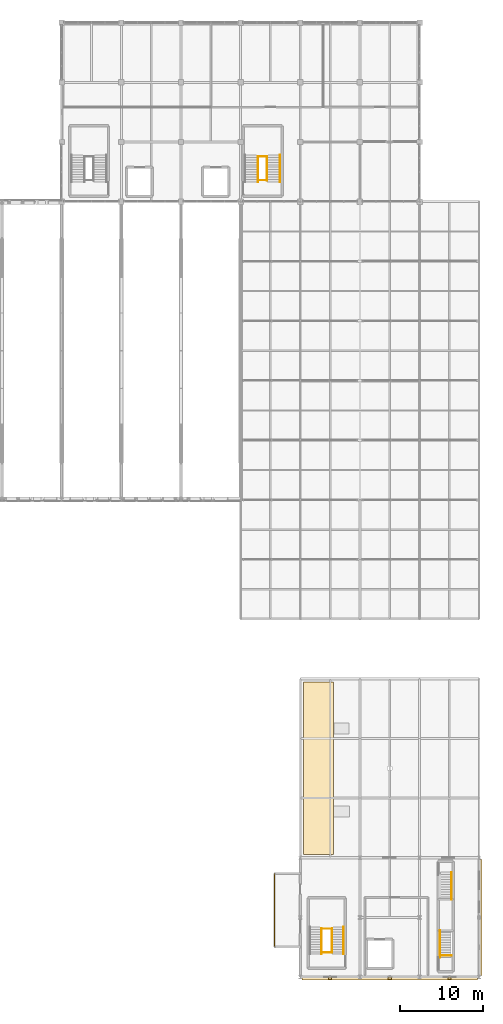
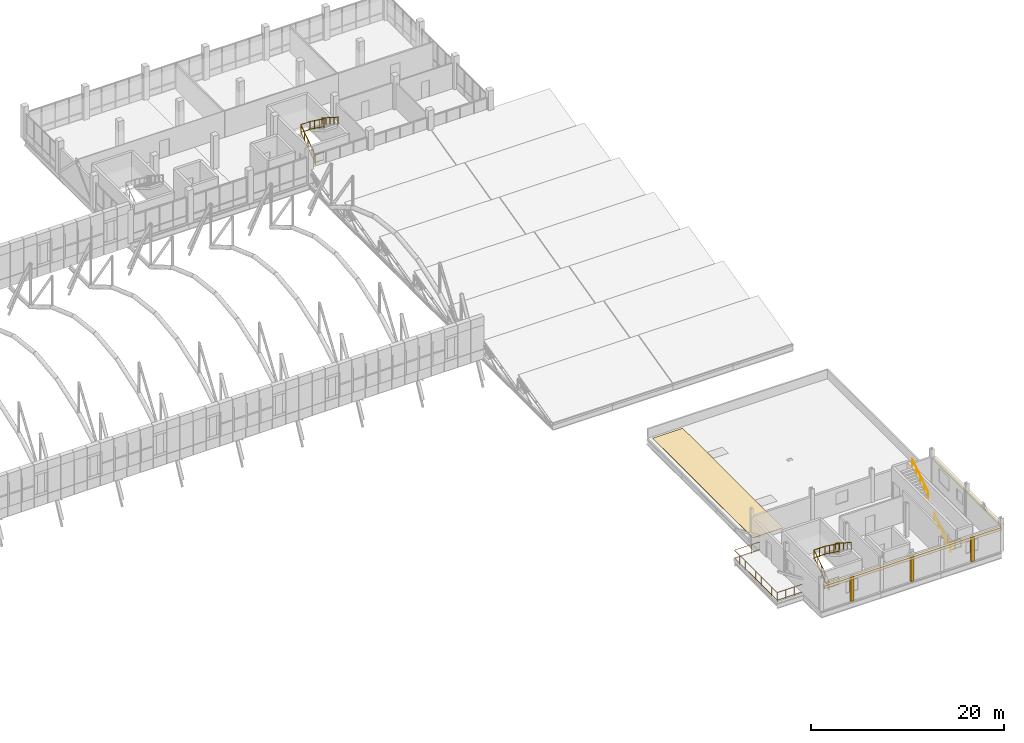
# One storey, part 143 of 144: 14 railings, 6 coverings.
"""IFC4 building model written with IfcOpenShell, lengths in metres."""

from ifc_helpers import new_model, si_unit, direction, frame, origin, origin_2d, place, context, subcontext, project, spatial, polyline, rectangle, circle, outline, extrude, material, layer, layer_set, type_object, element, save


model = new_model("IFC4")

# Units and contexts
model_context = context("Model", 3, precision=1e-05, world=origin(), true_north=direction((0.0, 1.0)))
body_context = subcontext(model_context, "Body", "Model", "MODEL_VIEW")
ifc_project = project(units=[si_unit("LENGTHUNIT", "METRE"), si_unit("AREAUNIT", "SQUARE_METRE"), si_unit("VOLUMEUNIT", "CUBIC_METRE"), si_unit("PLANEANGLEUNIT", "RADIAN"), si_unit("MASSUNIT", "GRAM", prefix="KILO")], contexts=[model_context])

# Site, building, storey
site_placement = place(None, origin())
site = spatial("IfcSite", under=ifc_project, at=site_placement, CompositionType="ELEMENT")
building_placement = place(site_placement, origin())
building = spatial("IfcBuilding", under=site, at=building_placement, Name="Yarey Park Central Fire Station", CompositionType="ELEMENT")
storey_placement = place(building_placement, frame((0.0, 0.0, 10.199951171875)))
storey = spatial("IfcBuildingStorey", under=building, at=storey_placement, Name="L03", CompositionType="ELEMENT", Elevation=10.199951171875)

# Coverings
ifc_material_1 = material(Name="Honed Coral-Limestone Cladding", Category="masonry")
ifc_layer_1 = layer(ifc_material_1, 0.044921875)
ifc_layer_set_1 = layer_set([ifc_layer_1], Name="Honed Coral-Limestone Cladding")
covering_type_1 = type_object("IfcCoveringType", Name="ENV_COV_CLAD_1", PredefinedType="CLADDING", material=ifc_layer_set_1)
covering_1_placement = place(storey_placement, frame((165.780029296875, 7.199951171875, 2.85009765625), z_axis=(0.0, 0.0, 1.0), x_axis=(0.0, 1.0, 0.0)))
element("IfcCovering", 1, at=covering_1_placement, inside=storey, type_object=covering_type_1, Name="FIN_L03_DTE_HOOD", PredefinedType="CLADDING", context=body_context, shape_type="SweptSolid", body=[
    extrude(rectangle(XDim=14.0, YDim=0.360107421875, at=origin_2d()), origin(), (0.0, 0.0, 1.0), 0.340087890625),
])
covering_2_placement = place(storey_placement, frame((154.800048828125, -0.179931640625, 2.85009765625), z_axis=(0.0, 0.0, 1.0), x_axis=(1.0, 0.0, 0.0)))
element("IfcCovering", 2, at=covering_2_placement, inside=storey, type_object=covering_type_1, Name="FIN_L03_DTS_HOOD", PredefinedType="CLADDING", context=body_context, shape_type="SweptSolid", body=[
    extrude(rectangle(XDim=21.199951171875, YDim=0.360107421875, at=origin_2d()), origin(), (0.0, 0.0, 1.0), 0.340087890625),
])
ifc_layer_2 = layer(ifc_material_1, 0.06005859375)
ifc_layer_set_2 = layer_set([ifc_layer_2], Name="Honed Coral-Limestone Cladding")
covering_type_2 = type_object("IfcCoveringType", Name="ENV_COV_CLAD_2", PredefinedType="CLADDING", material=ifc_layer_set_2)
for number, where, z_axis, x_axis, name in (
    (3, (147.60009765625, -0.159912109375, 0.050048828125), (0.0, 0.0, 1.0), (1.0, 0.0, 0.0), "FIN_L03_DTS_PIL_1"),
    (4, (154.800048828125, -0.159912109375, 0.050048828125), (0.0, 0.0, 1.0), (1.0, 0.0, 0.0), "FIN_L03_DTS_PIL_2"),
    (5, (162.0, -0.159912109375, 0.050048828125), (0.0, 0.0, 1.0), (1.0, 0.0, 0.0), "FIN_L03_DTS_PIL_3"),
):
    element("IfcCovering", number, at=place(storey_placement, frame(where, z_axis=z_axis, x_axis=x_axis)), inside=storey, type_object=covering_type_2, Name=name, PredefinedType="CLADDING", context=body_context, shape_type="SweptSolid", body=[
        extrude(rectangle(XDim=0.3798828125, YDim=0.280029296875, at=origin_2d()), origin(), (0.0, 0.0, 1.0), 3.10009765625),
    ])
ifc_material_2 = material(Name="High-Albedo TPO Roofing Membrane", Category="membrane")
ifc_layer_3 = layer(ifc_material_2, 0.050048828125)
ifc_layer_set_3 = layer_set([ifc_layer_3], Name="High-Albedo TPO Roofing Membrane")
covering_type_3 = type_object("IfcCoveringType", Name="ENV_COV_ROOF_2", PredefinedType="ROOFING", material=ifc_layer_set_3)
covering_3_placement = place(storey_placement, origin())
element("IfcCovering", 6, at=covering_3_placement, inside=storey, type_object=covering_type_3, Name="ROOFING_L03_SMK", PredefinedType="ROOFING", context=body_context, shape_type="SweptSolid", body=[
    extrude(outline(polyline([(144.39990234375, 14.800048828125), (148.0, 14.800048828125), (148.0, 35.60009765625), (144.39990234375, 35.60009765625), (144.39990234375, 14.800048828125)])), origin(), (0.0, 0.0, 1.0), 0.050048828125),
])

# Railings
ifc_material_3 = material(Name="Stainless Steel AISI 316L", Category="steel")
railing_type_1 = type_object("IfcRailingType", Name="EXT_RAIL_GUARD112", PredefinedType="BALUSTRADE", material=ifc_material_3)
railing_1_placement = place(storey_placement, frame((143.919921875, 3.679931640625, 0.0)))
element("IfcRailing", 7, at=railing_1_placement, inside=storey, type_object=railing_type_1, Name="GRD_EXT_L03_DT_BALC", PredefinedType="BALUSTRADE", context=body_context, shape_type="SweptSolid", body=[
    extrude(circle(Radius=0.02392578125, at=origin_2d()), frame((0.0, 0.0, 1.09619140625), z_axis=(-1.0, 0.0, 0.0), x_axis=(0.0, -1.0, 0.0)), (0.0, 0.0, 1.0), 3.0400390625),
    extrude(circle(Radius=0.02392578125, at=origin_2d()), frame((0.0, 0.0, 0.1201171875), z_axis=(-1.0, 0.0, 0.0), x_axis=(0.0, -1.0, 0.0)), (0.0, 0.0, 1.0), 3.0400390625),
    extrude(circle(Radius=0.02392578125, at=origin_2d()), frame((-3.0400390625, 0.0, 1.09619140625), z_axis=(0.0, 1.0, 0.0), x_axis=(-1.0, 0.0, 0.0)), (0.0, 0.0, 1.0), 8.840087890625),
    extrude(circle(Radius=0.02392578125, at=origin_2d()), frame((-3.0400390625, 0.0, 0.1201171875), z_axis=(0.0, 1.0, 0.0), x_axis=(-1.0, 0.0, 0.0)), (0.0, 0.0, 1.0), 8.840087890625),
    extrude(circle(Radius=0.02392578125, at=origin_2d()), frame((-3.0400390625, 8.840087890625, 1.09619140625), z_axis=(1.0, 0.0, 0.0), x_axis=(0.0, 1.0, 0.0)), (0.0, 0.0, 1.0), 3.0400390625),
    extrude(circle(Radius=0.02392578125, at=origin_2d()), frame((-3.0400390625, 8.840087890625, 0.1201171875), z_axis=(1.0, 0.0, 0.0), x_axis=(0.0, 1.0, 0.0)), (0.0, 0.0, 1.0), 3.0400390625),
    extrude(circle(Radius=0.02099609375, at=origin_2d()), origin(), (0.0, 0.0, 1.0), 1.072021484375),
    extrude(circle(Radius=0.02099609375, at=origin_2d()), frame((-1.013427734375, 0.0, 0.0)), (0.0, 0.0, 1.0), 1.072021484375),
    extrude(circle(Radius=0.02099609375, at=origin_2d()), frame((-2.026611328125, 0.0, 0.0)), (0.0, 0.0, 1.0), 1.072021484375),
    extrude(circle(Radius=0.02099609375, at=origin_2d()), frame((-3.0400390625, 0.0, 0.0)), (0.0, 0.0, 1.0), 1.072021484375),
    extrude(circle(Radius=0.02099609375, at=origin_2d()), frame((-3.0400390625, 1.10498046875, 0.0)), (0.0, 0.0, 1.0), 1.072021484375),
    extrude(circle(Radius=0.02099609375, at=origin_2d()), frame((-3.0400390625, 2.2099609375, 0.0)), (0.0, 0.0, 1.0), 1.072021484375),
    extrude(circle(Radius=0.02099609375, at=origin_2d()), frame((-3.0400390625, 3.31494140625, 0.0)), (0.0, 0.0, 1.0), 1.072021484375),
    extrude(circle(Radius=0.02099609375, at=origin_2d()), frame((-3.0400390625, 4.419921875, 0.0)), (0.0, 0.0, 1.0), 1.072021484375),
    extrude(circle(Radius=0.02099609375, at=origin_2d()), frame((-3.0400390625, 5.525146484375, 0.0)), (0.0, 0.0, 1.0), 1.072021484375),
    extrude(circle(Radius=0.02099609375, at=origin_2d()), frame((-3.0400390625, 6.630126953125, 0.0)), (0.0, 0.0, 1.0), 1.072021484375),
    extrude(circle(Radius=0.02099609375, at=origin_2d()), frame((-3.0400390625, 7.735107421875, 0.0)), (0.0, 0.0, 1.0), 1.072021484375),
    extrude(circle(Radius=0.02099609375, at=origin_2d()), frame((-3.0400390625, 8.840087890625, 0.0)), (0.0, 0.0, 1.0), 1.072021484375),
    extrude(circle(Radius=0.02099609375, at=origin_2d()), frame((-2.026611328125, 8.840087890625, 0.0)), (0.0, 0.0, 1.0), 1.072021484375),
    extrude(circle(Radius=0.02099609375, at=origin_2d()), frame((-1.013427734375, 8.840087890625, 0.0)), (0.0, 0.0, 1.0), 1.072021484375),
    extrude(circle(Radius=0.02099609375, at=origin_2d()), frame((0.0, 8.840087890625, 0.0)), (0.0, 0.0, 1.0), 1.072021484375),
])
ifc_material_4 = material(Name="Galvanized Steel Balustrade", Category="steel")
railing_type_2 = type_object("IfcRailingType", Name="INT_RAIL_GUARD112", PredefinedType="BALUSTRADE", material=ifc_material_4)
railing_2_placement = place(storey_placement, frame((138.89990234375, 95.949951171875, 0.0)))
element("IfcRailing", 8, at=railing_2_placement, inside=storey, type_object=railing_type_2, Name="GRD_C2_L03_F1", PredefinedType="BALUSTRADE", context=body_context, shape_type="SweptSolid", body=[
    extrude(circle(Radius=0.02392578125, at=origin_2d()), frame((0.0, 0.0, 1.09619140625), z_axis=(0.0, 0.827914784024, 0.560853911811), x_axis=(-1.0, 0.0, 0.0)), (0.0, 0.0, 1.0), 3.744384765625),
    extrude(circle(Radius=0.02392578125, at=origin_2d()), frame((0.0, 0.0, 0.1201171875), z_axis=(0.0, 0.827914784024, 0.560853911811), x_axis=(-1.0, 0.0, 0.0)), (0.0, 0.0, 1.0), 3.744384765625),
    extrude(circle(Radius=0.02099609375, at=origin_2d()), origin(), (0.0, 0.0, 1.0), 1.072021484375),
    extrude(circle(Radius=0.02099609375, at=origin_2d()), frame((0.0, 0.77490234375, 0.52490234375)), (0.0, 0.0, 1.0), 1.072021484375),
    extrude(circle(Radius=0.02099609375, at=origin_2d()), frame((0.0, 1.550048828125, 1.050048828125)), (0.0, 0.0, 1.0), 1.072021484375),
    extrude(circle(Radius=0.02099609375, at=origin_2d()), frame((0.0, 2.3251953125, 1.5751953125)), (0.0, 0.0, 1.0), 1.072021484375),
    extrude(circle(Radius=0.02099609375, at=origin_2d()), frame((0.0, 3.10009765625, 2.10009765625)), (0.0, 0.0, 1.0), 1.072021484375),
])
railing_3_placement = place(storey_placement, frame((140.0, 99.050048828125, 2.10009765625)))
element("IfcRailing", 9, at=railing_3_placement, inside=storey, type_object=railing_type_2, Name="GRD_C2_L03_F2", PredefinedType="BALUSTRADE", context=body_context, shape_type="SweptSolid", body=[
    extrude(circle(Radius=0.02392578125, at=origin_2d()), frame((0.0, 0.0, 1.09619140625), z_axis=(0.0, -0.809975627919, 0.586463538659), x_axis=(1.0, 0.0, 0.0)), (0.0, 0.0, 1.0), 3.58056640625),
    extrude(circle(Radius=0.02392578125, at=origin_2d()), frame((0.0, 0.0, 0.1201171875), z_axis=(0.0, -0.809975627919, 0.586463538659), x_axis=(1.0, 0.0, 0.0)), (0.0, 0.0, 1.0), 3.58056640625),
    extrude(circle(Radius=0.02099609375, at=origin_2d()), origin(), (0.0, 0.0, 1.0), 1.072021484375),
    extrude(circle(Radius=0.02099609375, at=origin_2d()), frame((0.0, -0.966796875, 0.699951171875)), (0.0, 0.0, 1.0), 1.072021484375),
    extrude(circle(Radius=0.02099609375, at=origin_2d()), frame((0.0, -1.933349609375, 1.39990234375)), (0.0, 0.0, 1.0), 1.072021484375),
    extrude(circle(Radius=0.02099609375, at=origin_2d()), frame((0.0, -2.900146484375, 2.099853515625)), (0.0, 0.0, 1.0), 1.072021484375),
])
for number, where, name in (
    (10, (138.89990234375, 99.030029296875, 2.10009765625), "GRD_C2_L03_SLOT_MID"),
    (11, (138.89990234375, 96.179931640625, 0.0), "GRD_C2_L03_SLOT_BOT"),
):
    element("IfcRailing", number, at=place(storey_placement, frame(where)), inside=storey, type_object=railing_type_2, Name=name, PredefinedType="BALUSTRADE", context=body_context, shape_type="SweptSolid", body=[
        extrude(circle(Radius=0.02392578125, at=origin_2d()), frame((0.0, 0.0, 1.09619140625), z_axis=(1.0, 0.0, 0.0), x_axis=(0.0, 1.0, 0.0)), (0.0, 0.0, 1.0), 1.10009765625),
        extrude(circle(Radius=0.02392578125, at=origin_2d()), frame((0.0, 0.0, 0.1201171875), z_axis=(1.0, 0.0, 0.0), x_axis=(0.0, 1.0, 0.0)), (0.0, 0.0, 1.0), 1.10009765625),
        extrude(circle(Radius=0.02099609375, at=origin_2d()), origin(), (0.0, 0.0, 1.0), 1.072021484375),
        extrude(circle(Radius=0.02099609375, at=origin_2d()), frame((1.10009765625, 0.0, 0.0)), (0.0, 0.0, 1.0), 1.072021484375),
    ])
railing_4_placement = place(storey_placement, frame((146.550048828125, 2.75, 0.0)))
element("IfcRailing", 12, at=railing_4_placement, inside=storey, type_object=railing_type_2, Name="GRD_C5_L03_F1", PredefinedType="BALUSTRADE", context=body_context, shape_type="SweptSolid", body=[
    extrude(circle(Radius=0.02392578125, at=origin_2d()), frame((0.0, 0.0, 1.09619140625), z_axis=(0.0, 0.827914784024, 0.560853911811), x_axis=(-1.0, 0.0, 0.0)), (0.0, 0.0, 1.0), 3.744384765625),
    extrude(circle(Radius=0.02392578125, at=origin_2d()), frame((0.0, 0.0, 0.1201171875), z_axis=(0.0, 0.827914784024, 0.560853911811), x_axis=(-1.0, 0.0, 0.0)), (0.0, 0.0, 1.0), 3.744384765625),
    extrude(circle(Radius=0.02099609375, at=origin_2d()), origin(), (0.0, 0.0, 1.0), 1.072021484375),
    extrude(circle(Radius=0.02099609375, at=origin_2d()), frame((0.0, 0.77490234375, 0.52490234375)), (0.0, 0.0, 1.0), 1.072021484375),
    extrude(circle(Radius=0.02099609375, at=origin_2d()), frame((0.0, 1.550048828125, 1.050048828125)), (0.0, 0.0, 1.0), 1.072021484375),
    extrude(circle(Radius=0.02099609375, at=origin_2d()), frame((0.0, 2.3251953125, 1.5751953125)), (0.0, 0.0, 1.0), 1.072021484375),
    extrude(circle(Radius=0.02099609375, at=origin_2d()), frame((0.0, 3.10009765625, 2.10009765625)), (0.0, 0.0, 1.0), 1.072021484375),
])
railing_5_placement = place(storey_placement, frame((147.85009765625, 5.85009765625, 2.10009765625)))
element("IfcRailing", 13, at=railing_5_placement, inside=storey, type_object=railing_type_2, Name="GRD_C5_L03_F2", PredefinedType="BALUSTRADE", context=body_context, shape_type="SweptSolid", body=[
    extrude(circle(Radius=0.02392578125, at=origin_2d()), frame((0.0, 0.0, 1.09619140625), z_axis=(0.0, -0.809975627919, 0.586463538659), x_axis=(1.0, 0.0, 0.0)), (0.0, 0.0, 1.0), 3.58056640625),
    extrude(circle(Radius=0.02392578125, at=origin_2d()), frame((0.0, 0.0, 0.1201171875), z_axis=(0.0, -0.809975627919, 0.586463538659), x_axis=(1.0, 0.0, 0.0)), (0.0, 0.0, 1.0), 3.58056640625),
    extrude(circle(Radius=0.02099609375, at=origin_2d()), origin(), (0.0, 0.0, 1.0), 1.072021484375),
    extrude(circle(Radius=0.02099609375, at=origin_2d()), frame((0.0, -0.966796875, 0.699951171875)), (0.0, 0.0, 1.0), 1.072021484375),
    extrude(circle(Radius=0.02099609375, at=origin_2d()), frame((0.0, -1.933349609375, 1.39990234375)), (0.0, 0.0, 1.0), 1.072021484375),
    extrude(circle(Radius=0.02099609375, at=origin_2d()), frame((0.0, -2.900146484375, 2.099853515625)), (0.0, 0.0, 1.0), 1.072021484375),
])
for number, where, name in (
    (14, (146.550048828125, 5.830078125, 2.10009765625), "GRD_C5_L03_SLOT_MID"),
    (15, (146.550048828125, 2.97998046875, 0.0), "GRD_C5_L03_SLOT_BOT"),
):
    element("IfcRailing", number, at=place(storey_placement, frame(where)), inside=storey, type_object=railing_type_2, Name=name, PredefinedType="BALUSTRADE", context=body_context, shape_type="SweptSolid", body=[
        extrude(circle(Radius=0.02392578125, at=origin_2d()), frame((0.0, 0.0, 1.09619140625), z_axis=(1.0, 0.0, 0.0), x_axis=(0.0, 1.0, 0.0)), (0.0, 0.0, 1.0), 1.300048828125),
        extrude(circle(Radius=0.02392578125, at=origin_2d()), frame((0.0, 0.0, 0.1201171875), z_axis=(1.0, 0.0, 0.0), x_axis=(0.0, 1.0, 0.0)), (0.0, 0.0, 1.0), 1.300048828125),
        extrude(circle(Radius=0.02099609375, at=origin_2d()), origin(), (0.0, 0.0, 1.0), 1.072021484375),
        extrude(circle(Radius=0.02099609375, at=origin_2d()), frame((0.64990234375, 0.0, 0.0)), (0.0, 0.0, 1.0), 1.072021484375),
        extrude(circle(Radius=0.02099609375, at=origin_2d()), frame((1.300048828125, 0.0, 0.0)), (0.0, 0.0, 1.0), 1.072021484375),
    ])
railing_6_placement = place(storey_placement, frame((160.85009765625, 2.580078125, 0.0)))
element("IfcRailing", 16, at=railing_6_placement, inside=storey, type_object=railing_type_2, Name="GRD_C6_L03_SOUTH_EDGE", PredefinedType="BALUSTRADE", context=body_context, shape_type="SweptSolid", body=[
    extrude(circle(Radius=0.02392578125, at=origin_2d()), frame((0.0, 0.0, 1.09619140625), z_axis=(1.0, 0.0, 0.0), x_axis=(0.0, 1.0, 0.0)), (0.0, 0.0, 1.0), 1.39990234375),
    extrude(circle(Radius=0.02392578125, at=origin_2d()), frame((0.0, 0.0, 0.1201171875), z_axis=(1.0, 0.0, 0.0), x_axis=(0.0, 1.0, 0.0)), (0.0, 0.0, 1.0), 1.39990234375),
    extrude(circle(Radius=0.02099609375, at=origin_2d()), origin(), (0.0, 0.0, 1.0), 1.072021484375),
    extrude(circle(Radius=0.02099609375, at=origin_2d()), frame((0.699951171875, 0.0, 0.0)), (0.0, 0.0, 1.0), 1.072021484375),
    extrude(circle(Radius=0.02099609375, at=origin_2d()), frame((1.39990234375, 0.0, 0.0)), (0.0, 0.0, 1.0), 1.072021484375),
])
railing_type_3 = type_object("IfcRailingType", Name="INT_RAIL_HAND090", PredefinedType="HANDRAIL", material=ifc_material_3)
for number, where, name in (
    (17, (141.570068359375, 99.25, 2.10009765625), "HR_C2_L03_F2"),
    (18, (149.219970703125, 6.050048828125, 2.10009765625), "HR_C5_L03_F2"),
):
    element("IfcRailing", number, at=place(storey_placement, frame(where)), inside=storey, type_object=railing_type_3, Name=name, PredefinedType="HANDRAIL", context=body_context, shape_type="SweptSolid", body=[
        extrude(circle(Radius=0.02392578125, at=origin_2d()), frame((0.0, 0.0, 0.8759765625), z_axis=(0.0, -0.843682047799, 0.53684318215), x_axis=(1.0, 0.0, 0.0)), (0.0, 0.0, 1.0), 3.911376953125),
        extrude(circle(Radius=0.02099609375, at=origin_2d()), origin(), (0.0, 0.0, 1.0), 0.851806640625),
        extrude(circle(Radius=0.02099609375, at=origin_2d()), frame((0.0, -0.824951171875, 0.52490234375)), (0.0, 0.0, 1.0), 0.851806640625),
        extrude(circle(Radius=0.02099609375, at=origin_2d()), frame((0.0, -1.64990234375, 1.0498046875)), (0.0, 0.0, 1.0), 0.851806640625),
        extrude(circle(Radius=0.02099609375, at=origin_2d()), frame((0.0, -2.47509765625, 1.574951171875)), (0.0, 0.0, 1.0), 0.851806640625),
        extrude(circle(Radius=0.02099609375, at=origin_2d()), frame((0.0, -3.300048828125, 2.099853515625)), (0.0, 0.0, 1.0), 0.851806640625),
    ])
railing_7_placement = place(storey_placement, frame((160.860107421875, 2.35009765625, 0.0)))
element("IfcRailing", 19, at=railing_7_placement, inside=storey, type_object=railing_type_3, Name="HR_C6_L03_L", PredefinedType="HANDRAIL", context=body_context, shape_type="SweptSolid", body=[
    extrude(circle(Radius=0.02392578125, at=origin_2d()), frame((0.0, 0.0, 0.8759765625), z_axis=(0.0, 0.843635785416, 0.536915879413), x_axis=(-1.0, 0.0, 0.0)), (0.0, 0.0, 1.0), 3.911376953125),
    extrude(circle(Radius=0.02099609375, at=origin_2d()), origin(), (0.0, 0.0, 1.0), 0.851806640625),
    extrude(circle(Radius=0.02099609375, at=origin_2d()), frame((0.0, 0.824951171875, 0.52490234375)), (0.0, 0.0, 1.0), 0.851806640625),
    extrude(circle(Radius=0.02099609375, at=origin_2d()), frame((0.0, 1.64990234375, 1.050048828125)), (0.0, 0.0, 1.0), 0.851806640625),
    extrude(circle(Radius=0.02099609375, at=origin_2d()), frame((0.0, 2.474853515625, 1.5751953125)), (0.0, 0.0, 1.0), 0.851806640625),
    extrude(circle(Radius=0.02099609375, at=origin_2d()), frame((0.0, 3.2998046875, 2.10009765625)), (0.0, 0.0, 1.0), 0.851806640625),
])
railing_8_placement = place(storey_placement, frame((162.239990234375, 9.35009765625, 2.10009765625)))
element("IfcRailing", 20, at=railing_8_placement, inside=storey, type_object=railing_type_3, Name="HR_C6_L03_R", PredefinedType="HANDRAIL", context=body_context, shape_type="SweptSolid", body=[
    extrude(circle(Radius=0.02392578125, at=origin_2d()), frame((0.0, 0.0, 0.8759765625), z_axis=(0.0, 0.843664057944, 0.536871453268), x_axis=(-1.0, 0.0, 0.0)), (0.0, 0.0, 1.0), 3.911376953125),
    extrude(circle(Radius=0.02099609375, at=origin_2d()), origin(), (0.0, 0.0, 1.0), 0.851806640625),
    extrude(circle(Radius=0.02099609375, at=origin_2d()), frame((0.0, 0.824951171875, 0.52490234375)), (0.0, 0.0, 1.0), 0.851806640625),
    extrude(circle(Radius=0.02099609375, at=origin_2d()), frame((0.0, 1.64990234375, 1.0498046875)), (0.0, 0.0, 1.0), 0.851806640625),
    extrude(circle(Radius=0.02099609375, at=origin_2d()), frame((0.0, 2.474853515625, 1.574951171875)), (0.0, 0.0, 1.0), 0.851806640625),
    extrude(circle(Radius=0.02099609375, at=origin_2d()), frame((0.0, 3.2998046875, 2.099853515625)), (0.0, 0.0, 1.0), 0.851806640625),
])

save(model, "model.ifc")
